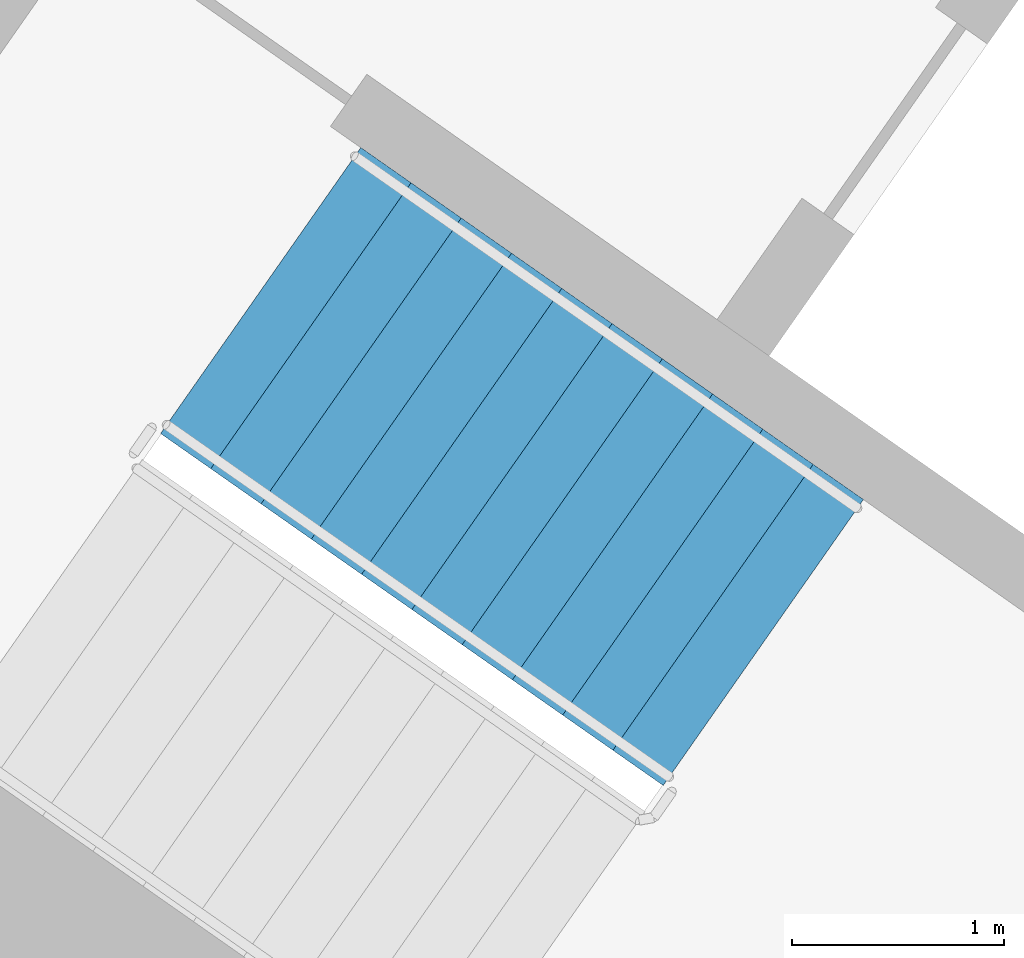
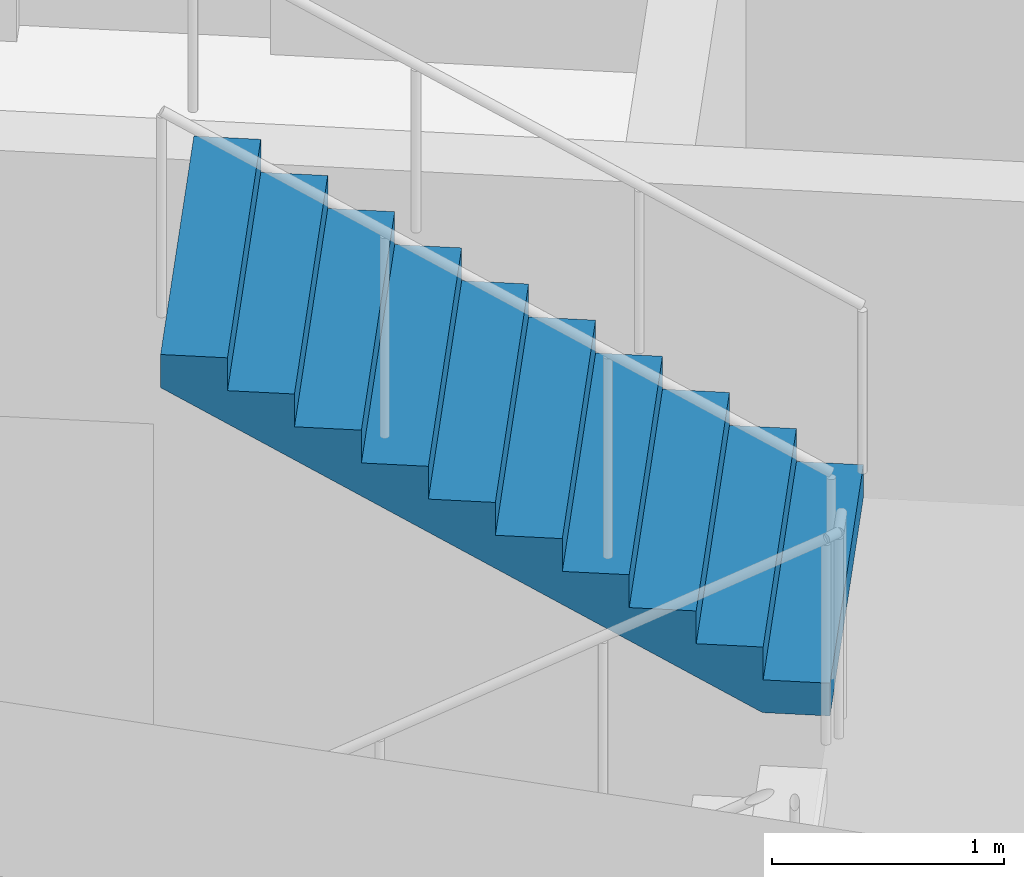
# One storey, part 11 of 30: 1 stair flight, 1 element without a shape of its own.
"""IFC4 building model written with IfcOpenShell, lengths in metres."""

from ifc_helpers import new_model, si_unit, direction, frame, origin, place, context, subcontext, project, spatial, faceted_brep, material, type_object, element, aggregate, save


model = new_model("IFC4")

# Units and contexts
model_context = context("Model", 3, precision=1e-05, world=origin(), true_north=direction((0.0, 1.0)))
body_context = subcontext(model_context, "Body", "Model", "MODEL_VIEW")
ifc_project = project(units=[si_unit("LENGTHUNIT", "METRE"), si_unit("AREAUNIT", "SQUARE_METRE"), si_unit("VOLUMEUNIT", "CUBIC_METRE"), si_unit("PLANEANGLEUNIT", "RADIAN"), si_unit("MASSUNIT", "GRAM", prefix="KILO")], contexts=[model_context])

# Site, building, storey
site_placement = place(None, origin())
site = spatial("IfcSite", under=ifc_project, at=site_placement, CompositionType="ELEMENT")
building_placement = place(site_placement, origin())
building = spatial("IfcBuilding", under=site, at=building_placement, Name="Qamariyya Broadcast Tower", CompositionType="ELEMENT")
storey_placement = place(building_placement, frame((0.0, 0.0, 98.699951171875)))
storey = spatial("IfcBuildingStorey", under=building, at=storey_placement, Name="L21", CompositionType="ELEMENT", Elevation=98.699951171875)

# Stair, stair flight
ifc_material = material(Name="Concrete C50/60", Category="concrete")
stair_type = type_object("IfcStairType", Name="Exit stair 22 risers of 173 mm", PredefinedType="HALF_TURN_STAIR", material=ifc_material)
stair_placement = place(storey_placement, origin())
stair = element("IfcStair", 1, at=stair_placement, inside=storey, type_object=stair_type, Name="L21 Stair W1", PredefinedType="HALF_TURN_STAIR")
stair_flight_type = type_object("IfcStairFlightType", Name="Exit stair flight 11 risers of 173 mm", PredefinedType="STRAIGHT", material=ifc_material)
stair_flight_placement = place(storey_placement, frame((-43.660888671875, -57.17138671875, 1.900146484375), z_axis=(0.0, 0.0, 1.0), x_axis=(-0.819152044289, 0.573576436351, 0.0)))
stair_flight = element("IfcStairFlight", 2, at=stair_flight_placement, type_object=stair_flight_type, Name="ST-W1 flight 2", NumberOfRisers=11, NumberOfTreads=10, PredefinedType="STRAIGHT", RiserHeight=0.172727273, TreadLength=0.29, context=body_context, shape_type="Brep", body=[
    faceted_brep([(0.0, 0.824951171875, 0.0), (0.0, 0.824951171875, 0.172607421875), (0.2900390625, 0.824951171875, 0.172607421875), (0.2900390625, 0.824951171875, 0.345458984375), (0.580078125, 0.824951171875, 0.345458984375), (0.580078125, 0.824951171875, 0.51806640625), (0.8701171875, 0.824951171875, 0.51806640625), (0.8701171875, 0.824951171875, 0.69091796875), (1.159912109375, 0.824951171875, 0.69091796875), (1.159912109375, 0.824951171875, 0.863525390625), (1.449951171875, 0.824951171875, 0.863525390625), (1.449951171875, 0.824951171875, 1.036376953125), (1.739990234375, 0.824951171875, 1.036376953125), (1.739990234375, 0.824951171875, 1.208984375), (2.030029296875, 0.824951171875, 1.208984375), (2.030029296875, 0.824951171875, 1.3818359375), (2.320068359375, 0.824951171875, 1.3818359375), (2.320068359375, 0.824951171875, 1.554443359375), (2.610107421875, 0.824951171875, 1.554443359375), (2.610107421875, 0.824951171875, 1.727294921875), (2.89990234375, 0.824951171875, 1.727294921875), (2.89990234375, 0.824951171875, 1.552734375), (0.29296875, 0.824951171875, 0.0), (0.29296875, -0.824951171875, 0.0), (2.89990234375, -0.824951171875, 1.552734375), (2.89990234375, -0.824951171875, 1.727294921875), (2.610107421875, -0.824951171875, 1.727294921875), (2.610107421875, -0.824951171875, 1.554443359375), (2.320068359375, -0.824951171875, 1.554443359375), (2.320068359375, -0.824951171875, 1.3818359375), (2.030029296875, -0.824951171875, 1.3818359375), (2.030029296875, -0.824951171875, 1.208984375), (1.739990234375, -0.824951171875, 1.208984375), (1.739990234375, -0.824951171875, 1.036376953125), (1.449951171875, -0.824951171875, 1.036376953125), (1.449951171875, -0.824951171875, 0.863525390625), (1.159912109375, -0.824951171875, 0.863525390625), (1.159912109375, -0.824951171875, 0.69091796875), (0.8701171875, -0.824951171875, 0.69091796875), (0.8701171875, -0.824951171875, 0.51806640625), (0.580078125, -0.824951171875, 0.51806640625), (0.580078125, -0.824951171875, 0.345458984375), (0.2900390625, -0.824951171875, 0.345458984375), (0.2900390625, -0.824951171875, 0.172607421875), (0.0, -0.824951171875, 0.172607421875), (0.0, -0.824951171875, 0.0), (0.0, 0.10009765625, 0.0), (0.0, 0.086669921875, 0.0), (0.0, 0.0732421875, 0.0), (0.0, 0.06005859375, 0.0), (0.0, 0.046630859375, 0.0), (0.0, 0.033447265625, 0.0), (0.0, 0.02001953125, 0.0), (0.0, 0.006591796875, 0.0), (0.0, -0.006591796875, 0.0), (0.0, -0.02001953125, 0.0), (0.0, -0.033447265625, 0.0), (0.0, -0.046630859375, 0.0), (0.0, -0.06005859375, 0.0), (0.0, -0.0732421875, 0.0), (0.0, -0.086669921875, 0.0), (0.0, -0.10009765625, 0.0), (0.0, -0.10009765625, 0.172607421875), (0.0, -0.086669921875, 0.172607421875), (0.0, -0.0732421875, 0.172607421875), (0.0, -0.06005859375, 0.172607421875), (0.0, -0.046630859375, 0.172607421875), (0.0, -0.033447265625, 0.172607421875), (0.0, -0.02001953125, 0.172607421875), (0.0, -0.006591796875, 0.172607421875), (0.0, 0.006591796875, 0.172607421875), (0.0, 0.02001953125, 0.172607421875), (0.0, 0.033447265625, 0.172607421875), (0.0, 0.046630859375, 0.172607421875), (0.0, 0.06005859375, 0.172607421875), (0.0, 0.0732421875, 0.172607421875), (0.0, 0.086669921875, 0.172607421875), (0.0, 0.10009765625, 0.172607421875), (0.2900390625, -0.10009765625, 0.172607421875), (0.2900390625, -0.086669921875, 0.172607421875), (0.2900390625, -0.0732421875, 0.172607421875), (0.2900390625, -0.06005859375, 0.172607421875), (0.2900390625, -0.046630859375, 0.172607421875), (0.2900390625, -0.033447265625, 0.172607421875), (0.2900390625, -0.02001953125, 0.172607421875), (0.2900390625, -0.006591796875, 0.172607421875), (0.2900390625, 0.006591796875, 0.172607421875), (0.2900390625, 0.02001953125, 0.172607421875), (0.2900390625, 0.033447265625, 0.172607421875), (0.2900390625, 0.046630859375, 0.172607421875), (0.2900390625, 0.06005859375, 0.172607421875), (0.2900390625, 0.0732421875, 0.172607421875), (0.2900390625, 0.086669921875, 0.172607421875), (0.2900390625, 0.10009765625, 0.172607421875), (0.2900390625, -0.10009765625, 0.345458984375), (0.2900390625, -0.086669921875, 0.345458984375), (0.2900390625, -0.0732421875, 0.345458984375), (0.2900390625, -0.06005859375, 0.345458984375), (0.2900390625, -0.046630859375, 0.345458984375), (0.2900390625, -0.033447265625, 0.345458984375), (0.2900390625, -0.02001953125, 0.345458984375), (0.2900390625, -0.006591796875, 0.345458984375), (0.2900390625, 0.006591796875, 0.345458984375), (0.2900390625, 0.02001953125, 0.345458984375), (0.2900390625, 0.033447265625, 0.345458984375), (0.2900390625, 0.046630859375, 0.345458984375), (0.2900390625, 0.06005859375, 0.345458984375), (0.2900390625, 0.0732421875, 0.345458984375), (0.2900390625, 0.086669921875, 0.345458984375), (0.2900390625, 0.10009765625, 0.345458984375), (0.580078125, -0.10009765625, 0.345458984375), (0.580078125, -0.086669921875, 0.345458984375), (0.580078125, -0.0732421875, 0.345458984375), (0.580078125, -0.06005859375, 0.345458984375), (0.580078125, -0.046630859375, 0.345458984375), (0.580078125, -0.033447265625, 0.345458984375), (0.580078125, -0.02001953125, 0.345458984375), (0.580078125, -0.006591796875, 0.345458984375), (0.580078125, 0.006591796875, 0.345458984375), (0.580078125, 0.02001953125, 0.345458984375), (0.580078125, 0.033447265625, 0.345458984375), (0.580078125, 0.046630859375, 0.345458984375), (0.580078125, 0.06005859375, 0.345458984375), (0.580078125, 0.0732421875, 0.345458984375), (0.580078125, 0.086669921875, 0.345458984375), (0.580078125, 0.10009765625, 0.345458984375), (0.580078125, -0.10009765625, 0.51806640625), (0.580078125, -0.086669921875, 0.51806640625), (0.580078125, -0.0732421875, 0.51806640625), (0.580078125, -0.06005859375, 0.51806640625), (0.580078125, -0.046630859375, 0.51806640625), (0.580078125, -0.033447265625, 0.51806640625), (0.580078125, -0.02001953125, 0.51806640625), (0.580078125, -0.006591796875, 0.51806640625), (0.580078125, 0.006591796875, 0.51806640625), (0.580078125, 0.02001953125, 0.51806640625), (0.580078125, 0.033447265625, 0.51806640625), (0.580078125, 0.046630859375, 0.51806640625), (0.580078125, 0.06005859375, 0.51806640625), (0.580078125, 0.0732421875, 0.51806640625), (0.580078125, 0.086669921875, 0.51806640625), (0.580078125, 0.10009765625, 0.51806640625), (0.8701171875, -0.10009765625, 0.51806640625), (0.8701171875, -0.086669921875, 0.51806640625), (0.8701171875, -0.0732421875, 0.51806640625), (0.8701171875, -0.06005859375, 0.51806640625), (0.8701171875, -0.046630859375, 0.51806640625), (0.8701171875, -0.033447265625, 0.51806640625), (0.8701171875, -0.02001953125, 0.51806640625), (0.8701171875, -0.006591796875, 0.51806640625), (0.8701171875, 0.006591796875, 0.51806640625), (0.8701171875, 0.02001953125, 0.51806640625), (0.8701171875, 0.033447265625, 0.51806640625), (0.8701171875, 0.046630859375, 0.51806640625), (0.8701171875, 0.06005859375, 0.51806640625), (0.8701171875, 0.0732421875, 0.51806640625), (0.8701171875, 0.086669921875, 0.51806640625), (0.8701171875, 0.10009765625, 0.51806640625), (0.8701171875, -0.10009765625, 0.69091796875), (0.8701171875, -0.086669921875, 0.69091796875), (0.8701171875, -0.0732421875, 0.69091796875), (0.8701171875, -0.06005859375, 0.69091796875), (0.8701171875, -0.046630859375, 0.69091796875), (0.8701171875, -0.033447265625, 0.69091796875), (0.8701171875, -0.02001953125, 0.69091796875), (0.8701171875, -0.006591796875, 0.69091796875), (0.8701171875, 0.006591796875, 0.69091796875), (0.8701171875, 0.02001953125, 0.69091796875), (0.8701171875, 0.033447265625, 0.69091796875), (0.8701171875, 0.046630859375, 0.69091796875), (0.8701171875, 0.06005859375, 0.69091796875), (0.8701171875, 0.0732421875, 0.69091796875), (0.8701171875, 0.086669921875, 0.69091796875), (0.8701171875, 0.10009765625, 0.69091796875), (1.159912109375, -0.10009765625, 0.69091796875), (1.159912109375, -0.086669921875, 0.69091796875), (1.159912109375, -0.0732421875, 0.69091796875), (1.159912109375, -0.06005859375, 0.69091796875), (1.159912109375, -0.046630859375, 0.69091796875), (1.159912109375, -0.033447265625, 0.69091796875), (1.159912109375, -0.02001953125, 0.69091796875), (1.159912109375, -0.006591796875, 0.69091796875), (1.159912109375, 0.006591796875, 0.69091796875), (1.159912109375, 0.02001953125, 0.69091796875), (1.159912109375, 0.033447265625, 0.69091796875), (1.159912109375, 0.046630859375, 0.69091796875), (1.159912109375, 0.06005859375, 0.69091796875), (1.159912109375, 0.0732421875, 0.69091796875), (1.159912109375, 0.086669921875, 0.69091796875), (1.159912109375, 0.10009765625, 0.69091796875), (1.159912109375, -0.10009765625, 0.863525390625), (1.159912109375, -0.086669921875, 0.863525390625), (1.159912109375, -0.0732421875, 0.863525390625), (1.159912109375, -0.06005859375, 0.863525390625), (1.159912109375, -0.046630859375, 0.863525390625), (1.159912109375, -0.033447265625, 0.863525390625), (1.159912109375, -0.02001953125, 0.863525390625), (1.159912109375, -0.006591796875, 0.863525390625), (1.159912109375, 0.006591796875, 0.863525390625), (1.159912109375, 0.02001953125, 0.863525390625), (1.159912109375, 0.033447265625, 0.863525390625), (1.159912109375, 0.046630859375, 0.863525390625), (1.159912109375, 0.06005859375, 0.863525390625), (1.159912109375, 0.0732421875, 0.863525390625), (1.159912109375, 0.086669921875, 0.863525390625), (1.159912109375, 0.10009765625, 0.863525390625), (1.449951171875, -0.10009765625, 0.863525390625), (1.449951171875, -0.086669921875, 0.863525390625), (1.449951171875, -0.0732421875, 0.863525390625), (1.449951171875, -0.06005859375, 0.863525390625), (1.449951171875, -0.046630859375, 0.863525390625), (1.449951171875, -0.033447265625, 0.863525390625), (1.449951171875, -0.02001953125, 0.863525390625), (1.449951171875, -0.006591796875, 0.863525390625), (1.449951171875, 0.006591796875, 0.863525390625), (1.449951171875, 0.02001953125, 0.863525390625), (1.449951171875, 0.033447265625, 0.863525390625), (1.449951171875, 0.046630859375, 0.863525390625), (1.449951171875, 0.06005859375, 0.863525390625), (1.449951171875, 0.0732421875, 0.863525390625), (1.449951171875, 0.086669921875, 0.863525390625), (1.449951171875, 0.10009765625, 0.863525390625), (1.449951171875, -0.10009765625, 1.036376953125), (1.449951171875, -0.086669921875, 1.036376953125), (1.449951171875, -0.0732421875, 1.036376953125), (1.449951171875, -0.06005859375, 1.036376953125), (1.449951171875, -0.046630859375, 1.036376953125), (1.449951171875, -0.033447265625, 1.036376953125), (1.449951171875, -0.02001953125, 1.036376953125), (1.449951171875, -0.006591796875, 1.036376953125), (1.449951171875, 0.006591796875, 1.036376953125), (1.449951171875, 0.02001953125, 1.036376953125), (1.449951171875, 0.033447265625, 1.036376953125), (1.449951171875, 0.046630859375, 1.036376953125), (1.449951171875, 0.06005859375, 1.036376953125), (1.449951171875, 0.0732421875, 1.036376953125), (1.449951171875, 0.086669921875, 1.036376953125), (1.449951171875, 0.10009765625, 1.036376953125), (1.739990234375, -0.10009765625, 1.036376953125), (1.739990234375, -0.086669921875, 1.036376953125), (1.739990234375, -0.0732421875, 1.036376953125), (1.739990234375, -0.06005859375, 1.036376953125), (1.739990234375, -0.046630859375, 1.036376953125), (1.739990234375, -0.033447265625, 1.036376953125), (1.739990234375, -0.02001953125, 1.036376953125), (1.739990234375, -0.006591796875, 1.036376953125), (1.739990234375, 0.006591796875, 1.036376953125), (1.739990234375, 0.02001953125, 1.036376953125), (1.739990234375, 0.033447265625, 1.036376953125), (1.739990234375, 0.046630859375, 1.036376953125), (1.739990234375, 0.06005859375, 1.036376953125), (1.739990234375, 0.0732421875, 1.036376953125), (1.739990234375, 0.086669921875, 1.036376953125), (1.739990234375, 0.10009765625, 1.036376953125), (1.739990234375, -0.10009765625, 1.208984375), (1.739990234375, -0.086669921875, 1.208984375), (1.739990234375, -0.0732421875, 1.208984375), (1.739990234375, -0.06005859375, 1.208984375), (1.739990234375, -0.046630859375, 1.208984375), (1.739990234375, -0.033447265625, 1.208984375), (1.739990234375, -0.02001953125, 1.208984375), (1.739990234375, -0.006591796875, 1.208984375), (1.739990234375, 0.006591796875, 1.208984375), (1.739990234375, 0.02001953125, 1.208984375), (1.739990234375, 0.033447265625, 1.208984375), (1.739990234375, 0.046630859375, 1.208984375), (1.739990234375, 0.06005859375, 1.208984375), (1.739990234375, 0.0732421875, 1.208984375), (1.739990234375, 0.086669921875, 1.208984375), (1.739990234375, 0.10009765625, 1.208984375), (2.030029296875, -0.10009765625, 1.208984375), (2.030029296875, -0.086669921875, 1.208984375), (2.030029296875, -0.0732421875, 1.208984375), (2.030029296875, -0.06005859375, 1.208984375), (2.030029296875, -0.046630859375, 1.208984375), (2.030029296875, -0.033447265625, 1.208984375), (2.030029296875, -0.02001953125, 1.208984375), (2.030029296875, -0.006591796875, 1.208984375), (2.030029296875, 0.006591796875, 1.208984375), (2.030029296875, 0.02001953125, 1.208984375), (2.030029296875, 0.033447265625, 1.208984375), (2.030029296875, 0.046630859375, 1.208984375), (2.030029296875, 0.06005859375, 1.208984375), (2.030029296875, 0.0732421875, 1.208984375), (2.030029296875, 0.086669921875, 1.208984375), (2.030029296875, 0.10009765625, 1.208984375), (2.030029296875, -0.10009765625, 1.3818359375), (2.030029296875, -0.086669921875, 1.3818359375), (2.030029296875, -0.0732421875, 1.3818359375), (2.030029296875, -0.06005859375, 1.3818359375), (2.030029296875, -0.046630859375, 1.3818359375), (2.030029296875, -0.033447265625, 1.3818359375), (2.030029296875, -0.02001953125, 1.3818359375), (2.030029296875, -0.006591796875, 1.3818359375), (2.030029296875, 0.006591796875, 1.3818359375), (2.030029296875, 0.02001953125, 1.3818359375), (2.030029296875, 0.033447265625, 1.3818359375), (2.030029296875, 0.046630859375, 1.3818359375), (2.030029296875, 0.06005859375, 1.3818359375), (2.030029296875, 0.0732421875, 1.3818359375), (2.030029296875, 0.086669921875, 1.3818359375), (2.030029296875, 0.10009765625, 1.3818359375), (2.320068359375, -0.10009765625, 1.3818359375), (2.320068359375, -0.086669921875, 1.3818359375), (2.320068359375, -0.0732421875, 1.3818359375), (2.320068359375, -0.06005859375, 1.3818359375), (2.320068359375, -0.046630859375, 1.3818359375), (2.320068359375, -0.033447265625, 1.3818359375), (2.320068359375, -0.02001953125, 1.3818359375), (2.320068359375, -0.006591796875, 1.3818359375), (2.320068359375, 0.006591796875, 1.3818359375), (2.320068359375, 0.02001953125, 1.3818359375), (2.320068359375, 0.033447265625, 1.3818359375), (2.320068359375, 0.046630859375, 1.3818359375), (2.320068359375, 0.06005859375, 1.3818359375), (2.320068359375, 0.0732421875, 1.3818359375), (2.320068359375, 0.086669921875, 1.3818359375), (2.320068359375, 0.10009765625, 1.3818359375), (2.320068359375, -0.10009765625, 1.554443359375), (2.320068359375, -0.086669921875, 1.554443359375), (2.320068359375, -0.0732421875, 1.554443359375), (2.320068359375, -0.06005859375, 1.554443359375), (2.320068359375, -0.046630859375, 1.554443359375), (2.320068359375, -0.033447265625, 1.554443359375), (2.320068359375, -0.02001953125, 1.554443359375), (2.320068359375, -0.006591796875, 1.554443359375), (2.320068359375, 0.006591796875, 1.554443359375), (2.320068359375, 0.02001953125, 1.554443359375), (2.320068359375, 0.033447265625, 1.554443359375), (2.320068359375, 0.046630859375, 1.554443359375), (2.320068359375, 0.06005859375, 1.554443359375), (2.320068359375, 0.0732421875, 1.554443359375), (2.320068359375, 0.086669921875, 1.554443359375), (2.320068359375, 0.10009765625, 1.554443359375), (2.610107421875, -0.10009765625, 1.554443359375), (2.610107421875, -0.086669921875, 1.554443359375), (2.610107421875, -0.0732421875, 1.554443359375), (2.610107421875, -0.06005859375, 1.554443359375), (2.610107421875, -0.046630859375, 1.554443359375), (2.610107421875, -0.033447265625, 1.554443359375), (2.610107421875, -0.02001953125, 1.554443359375), (2.610107421875, -0.006591796875, 1.554443359375), (2.610107421875, 0.006591796875, 1.554443359375), (2.610107421875, 0.02001953125, 1.554443359375), (2.610107421875, 0.033447265625, 1.554443359375), (2.610107421875, 0.046630859375, 1.554443359375), (2.610107421875, 0.06005859375, 1.554443359375), (2.610107421875, 0.0732421875, 1.554443359375), (2.610107421875, 0.086669921875, 1.554443359375), (2.610107421875, 0.10009765625, 1.554443359375), (2.610107421875, -0.10009765625, 1.727294921875), (2.610107421875, -0.086669921875, 1.727294921875), (2.610107421875, -0.0732421875, 1.727294921875), (2.610107421875, -0.06005859375, 1.727294921875), (2.610107421875, -0.046630859375, 1.727294921875), (2.610107421875, -0.033447265625, 1.727294921875), (2.610107421875, -0.02001953125, 1.727294921875), (2.610107421875, -0.006591796875, 1.727294921875), (2.610107421875, 0.006591796875, 1.727294921875), (2.610107421875, 0.02001953125, 1.727294921875), (2.610107421875, 0.033447265625, 1.727294921875), (2.610107421875, 0.046630859375, 1.727294921875), (2.610107421875, 0.06005859375, 1.727294921875), (2.610107421875, 0.0732421875, 1.727294921875), (2.610107421875, 0.086669921875, 1.727294921875), (2.610107421875, 0.10009765625, 1.727294921875), (2.89990234375, -0.10009765625, 1.727294921875), (2.89990234375, -0.086669921875, 1.727294921875), (2.89990234375, -0.0732421875, 1.727294921875), (2.89990234375, -0.06005859375, 1.727294921875), (2.89990234375, -0.046630859375, 1.727294921875), (2.89990234375, -0.033447265625, 1.727294921875), (2.89990234375, -0.02001953125, 1.727294921875), (2.89990234375, -0.006591796875, 1.727294921875), (2.89990234375, 0.006591796875, 1.727294921875), (2.89990234375, 0.02001953125, 1.727294921875), (2.89990234375, 0.033447265625, 1.727294921875), (2.89990234375, 0.046630859375, 1.727294921875), (2.89990234375, 0.06005859375, 1.727294921875), (2.89990234375, 0.0732421875, 1.727294921875), (2.89990234375, 0.086669921875, 1.727294921875), (2.89990234375, 0.10009765625, 1.727294921875), (2.89990234375, -0.10009765625, 1.552734375), (2.89990234375, -0.086669921875, 1.552734375), (2.89990234375, -0.0732421875, 1.552734375), (2.89990234375, -0.06005859375, 1.552734375), (2.89990234375, -0.046630859375, 1.552734375), (2.89990234375, -0.033447265625, 1.552734375), (2.89990234375, -0.02001953125, 1.552734375), (2.89990234375, -0.006591796875, 1.552734375), (2.89990234375, 0.006591796875, 1.552734375), (2.89990234375, 0.02001953125, 1.552734375), (2.89990234375, 0.033447265625, 1.552734375), (2.89990234375, 0.046630859375, 1.552734375), (2.89990234375, 0.06005859375, 1.552734375), (2.89990234375, 0.0732421875, 1.552734375), (2.89990234375, 0.086669921875, 1.552734375), (2.89990234375, 0.10009765625, 1.552734375), (0.29296875, -0.10009765625, 0.0), (0.29296875, -0.086669921875, 0.0), (0.29296875, -0.0732421875, 0.0), (0.29296875, -0.06005859375, 0.0), (0.29296875, -0.046630859375, 0.0), (0.29296875, -0.033447265625, 0.0), (0.29296875, -0.02001953125, 0.0), (0.29296875, -0.006591796875, 0.0), (0.29296875, 0.006591796875, 0.0), (0.29296875, 0.02001953125, 0.0), (0.29296875, 0.033447265625, 0.0), (0.29296875, 0.046630859375, 0.0), (0.29296875, 0.06005859375, 0.0), (0.29296875, 0.0732421875, 0.0), (0.29296875, 0.086669921875, 0.0), (0.29296875, 0.10009765625, 0.0)], [[[0, 1, 2, 3, 4, 5, 6, 7, 8, 9, 10, 11, 12, 13, 14, 15, 16, 17, 18, 19, 20, 21, 22]], [[23, 24, 25, 26, 27, 28, 29, 30, 31, 32, 33, 34, 35, 36, 37, 38, 39, 40, 41, 42, 43, 44, 45]], [[0, 46, 47, 48, 49, 50, 51, 52, 53, 54, 55, 56, 57, 58, 59, 60, 61, 45, 44, 62, 63, 64, 65, 66, 67, 68, 69, 70, 71, 72, 73, 74, 75, 76, 77, 1]], [[1, 77, 76, 75, 74, 73, 72, 71, 70, 69, 68, 67, 66, 65, 64, 63, 62, 44, 43, 78, 79, 80, 81, 82, 83, 84, 85, 86, 87, 88, 89, 90, 91, 92, 93, 2]], [[2, 93, 92, 91, 90, 89, 88, 87, 86, 85, 84, 83, 82, 81, 80, 79, 78, 43, 42, 94, 95, 96, 97, 98, 99, 100, 101, 102, 103, 104, 105, 106, 107, 108, 109, 3]], [[3, 109, 108, 107, 106, 105, 104, 103, 102, 101, 100, 99, 98, 97, 96, 95, 94, 42, 41, 110, 111, 112, 113, 114, 115, 116, 117, 118, 119, 120, 121, 122, 123, 124, 125, 4]], [[4, 125, 124, 123, 122, 121, 120, 119, 118, 117, 116, 115, 114, 113, 112, 111, 110, 41, 40, 126, 127, 128, 129, 130, 131, 132, 133, 134, 135, 136, 137, 138, 139, 140, 141, 5]], [[5, 141, 140, 139, 138, 137, 136, 135, 134, 133, 132, 131, 130, 129, 128, 127, 126, 40, 39, 142, 143, 144, 145, 146, 147, 148, 149, 150, 151, 152, 153, 154, 155, 156, 157, 6]], [[6, 157, 156, 155, 154, 153, 152, 151, 150, 149, 148, 147, 146, 145, 144, 143, 142, 39, 38, 158, 159, 160, 161, 162, 163, 164, 165, 166, 167, 168, 169, 170, 171, 172, 173, 7]], [[7, 173, 172, 171, 170, 169, 168, 167, 166, 165, 164, 163, 162, 161, 160, 159, 158, 38, 37, 174, 175, 176, 177, 178, 179, 180, 181, 182, 183, 184, 185, 186, 187, 188, 189, 8]], [[8, 189, 188, 187, 186, 185, 184, 183, 182, 181, 180, 179, 178, 177, 176, 175, 174, 37, 36, 190, 191, 192, 193, 194, 195, 196, 197, 198, 199, 200, 201, 202, 203, 204, 205, 9]], [[9, 205, 204, 203, 202, 201, 200, 199, 198, 197, 196, 195, 194, 193, 192, 191, 190, 36, 35, 206, 207, 208, 209, 210, 211, 212, 213, 214, 215, 216, 217, 218, 219, 220, 221, 10]], [[10, 221, 220, 219, 218, 217, 216, 215, 214, 213, 212, 211, 210, 209, 208, 207, 206, 35, 34, 222, 223, 224, 225, 226, 227, 228, 229, 230, 231, 232, 233, 234, 235, 236, 237, 11]], [[11, 237, 236, 235, 234, 233, 232, 231, 230, 229, 228, 227, 226, 225, 224, 223, 222, 34, 33, 238, 239, 240, 241, 242, 243, 244, 245, 246, 247, 248, 249, 250, 251, 252, 253, 12]], [[12, 253, 252, 251, 250, 249, 248, 247, 246, 245, 244, 243, 242, 241, 240, 239, 238, 33, 32, 254, 255, 256, 257, 258, 259, 260, 261, 262, 263, 264, 265, 266, 267, 268, 269, 13]], [[13, 269, 268, 267, 266, 265, 264, 263, 262, 261, 260, 259, 258, 257, 256, 255, 254, 32, 31, 270, 271, 272, 273, 274, 275, 276, 277, 278, 279, 280, 281, 282, 283, 284, 285, 14]], [[14, 285, 284, 283, 282, 281, 280, 279, 278, 277, 276, 275, 274, 273, 272, 271, 270, 31, 30, 286, 287, 288, 289, 290, 291, 292, 293, 294, 295, 296, 297, 298, 299, 300, 301, 15]], [[15, 301, 300, 299, 298, 297, 296, 295, 294, 293, 292, 291, 290, 289, 288, 287, 286, 30, 29, 302, 303, 304, 305, 306, 307, 308, 309, 310, 311, 312, 313, 314, 315, 316, 317, 16]], [[16, 317, 316, 315, 314, 313, 312, 311, 310, 309, 308, 307, 306, 305, 304, 303, 302, 29, 28, 318, 319, 320, 321, 322, 323, 324, 325, 326, 327, 328, 329, 330, 331, 332, 333, 17]], [[17, 333, 332, 331, 330, 329, 328, 327, 326, 325, 324, 323, 322, 321, 320, 319, 318, 28, 27, 334, 335, 336, 337, 338, 339, 340, 341, 342, 343, 344, 345, 346, 347, 348, 349, 18]], [[18, 349, 348, 347, 346, 345, 344, 343, 342, 341, 340, 339, 338, 337, 336, 335, 334, 27, 26, 350, 351, 352, 353, 354, 355, 356, 357, 358, 359, 360, 361, 362, 363, 364, 365, 19]], [[19, 365, 364, 363, 362, 361, 360, 359, 358, 357, 356, 355, 354, 353, 352, 351, 350, 26, 25, 366, 367, 368, 369, 370, 371, 372, 373, 374, 375, 376, 377, 378, 379, 380, 381, 20]], [[20, 381, 380, 379, 378, 377, 376, 375, 374, 373, 372, 371, 370, 369, 368, 367, 366, 25, 24, 382, 383, 384, 385, 386, 387, 388, 389, 390, 391, 392, 393, 394, 395, 396, 397, 21]], [[21, 397, 396, 395, 394, 393, 392, 391, 390, 389, 388, 387, 386, 385, 384, 383, 382, 24, 23, 398, 399, 400, 401, 402, 403, 404, 405, 406, 407, 408, 409, 410, 411, 412, 413, 22]], [[22, 413, 412, 411, 410, 409, 408, 407, 406, 405, 404, 403, 402, 401, 400, 399, 398, 23, 45, 61, 60, 59, 58, 57, 56, 55, 54, 53, 52, 51, 50, 49, 48, 47, 46, 0]]]),
])
aggregate(stair, [stair_flight])

save(model, "model.ifc")
